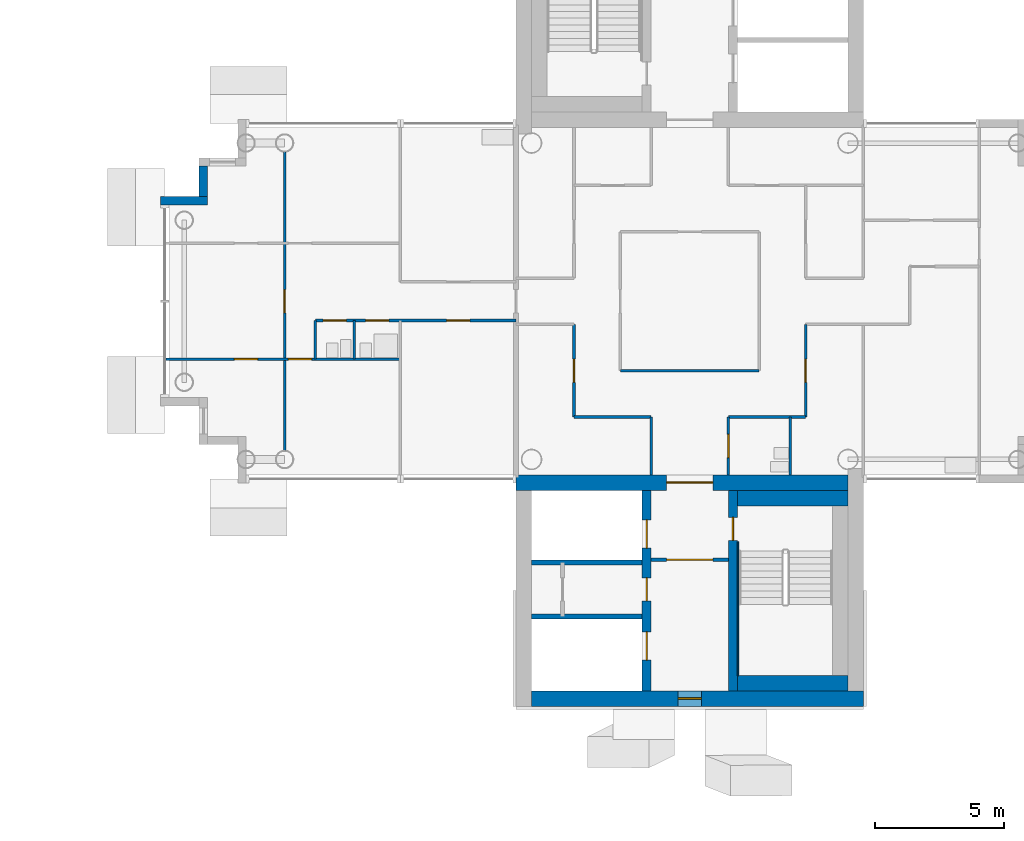
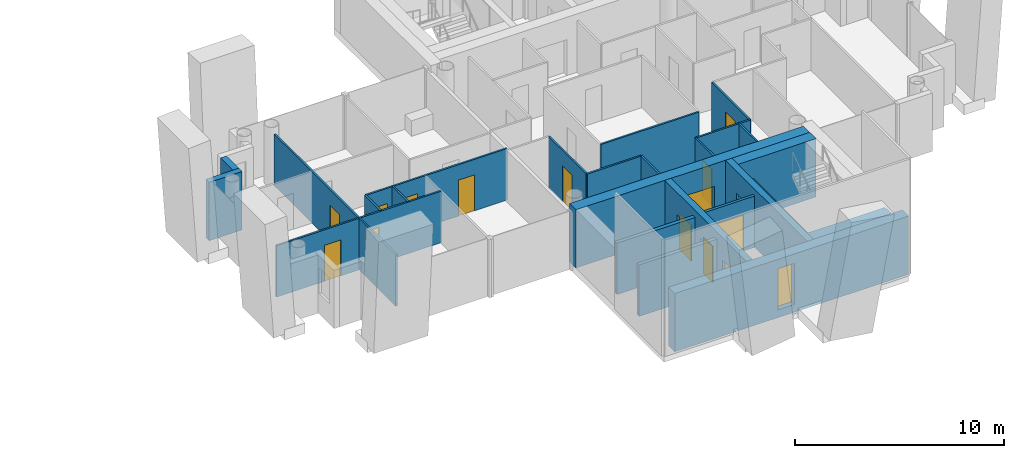
# One storey, part 9 of 18: 25 walls, 15 doors, 1 window, 16 openings.
"""IFC4 building model written with IfcOpenShell, lengths in metres."""

from ifc_helpers import new_model, si_unit, direction, frame, frame_2d, origin, place, context, subcontext, project, spatial, rectangle, extrude, material, layer, layer_set, type_object, element, fill, save


model = new_model("IFC4")

# Units and contexts
model_context = context("Model", 3, precision=1e-05, world=origin(), true_north=direction((0.0, 1.0)))
body_context = subcontext(model_context, "Body", "Model", "MODEL_VIEW")
ifc_project = project(units=[si_unit("LENGTHUNIT", "METRE"), si_unit("AREAUNIT", "SQUARE_METRE"), si_unit("VOLUMEUNIT", "CUBIC_METRE"), si_unit("PLANEANGLEUNIT", "RADIAN"), si_unit("MASSUNIT", "GRAM", prefix="KILO")], contexts=[model_context])

# Site, building, storey
site_placement = place(None, origin())
site = spatial("IfcSite", under=ifc_project, at=site_placement, CompositionType="ELEMENT")
building_placement = place(site_placement, origin())
building = spatial("IfcBuilding", under=site, at=building_placement, Name="Ipe Terrace Towers", CompositionType="ELEMENT")
storey_placement = place(building_placement, frame((0.0, 0.0, 216.39990234375)))
storey = spatial("IfcBuildingStorey", under=building, at=storey_placement, Name="L60", CompositionType="ELEMENT", Elevation=216.39990234375)

# Walls
ifc_material_1 = material(Name="Concrete C40/50 with buff precast cladding", Category="concrete")
ifc_layer_1 = layer(ifc_material_1, 0.320068359375)
ifc_layer_set_1 = layer_set([ifc_layer_1], Name="BUFF CLADDING WALL 320")
wall_type_1 = type_object("IfcWallType", Name="BUFF CLADDING WALL 320", PredefinedType="STANDARD", material=ifc_layer_set_1)
wall_1_placement = place(storey_placement, frame((17.090087890625, 5.25, -0.2998046875), z_axis=(0.0, 0.0, 1.0), x_axis=(0.0, -1.0, 0.0)))
element("IfcWall", 1, at=wall_1_placement, inside=storey, type_object=wall_type_1, Name="T2-W-L60-24a wall", PredefinedType="STANDARD", context=body_context, shape_type="SweptSolid", body=[
    extrude(rectangle(XDim=1.179931640625, YDim=0.320068359375, at=frame_2d((0.58984375, 0.0))), origin(), (0.0, 0.0, 1.0), 3.39990234375),
])
wall_2_placement = place(storey_placement, frame((17.25, 3.909912109375, -0.2998046875), z_axis=(0.0, 0.0, 1.0), x_axis=(-1.0, 0.0, 0.0)))
element("IfcWall", 2, at=wall_2_placement, inside=storey, type_object=wall_type_1, Name="T2-W-L60-25a wall", PredefinedType="STANDARD", context=body_context, shape_type="SweptSolid", body=[
    extrude(rectangle(XDim=1.820068359375, YDim=0.320068359375, at=frame_2d((0.91015625, 0.0))), origin(), (0.0, 0.0, 1.0), 3.39990234375),
])
ifc_material_2 = material(Name="Gypsum board partition", Category="plasterboard")
ifc_layer_2 = layer(ifc_material_2, 0.10009765625)
ifc_layer_set_2 = layer_set([ifc_layer_2], Name="Gypsum board partition 100 mm")
wall_type_2 = type_object("IfcWallType", Name="Gypsum board partition 100 mm", PredefinedType="PARTITIONING", material=ifc_layer_set_2)
for number, where, z_axis, x_axis, name in (
    (3, (40.5, -4.5, 0.0), (0.0, 0.0, 1.0), (-1.0, 0.0, 0.0), "Gypsum board partition T2 L60 W01"),
    (4, (34.5, -4.5, 0.0), (0.0, 0.0, 1.0), (-1.0, 0.0, 0.0), "Gypsum board partition T2 L60 W02"),
):
    element("IfcWall", number, at=place(storey_placement, frame(where, z_axis=z_axis, x_axis=x_axis)), inside=storey, type_object=wall_type_2, Name=name, PredefinedType="PARTITIONING", context=body_context, shape_type="SweptSolid", body=[
        extrude(rectangle(XDim=3.0, YDim=0.10009765625, at=frame_2d((1.5, 0.0))), origin(), (0.0, 0.0, 1.0), 3.0),
    ])
wall_3_placement = place(storey_placement, frame((38.699951171875, -2.699951171875, 0.0), z_axis=(0.0, 0.0, 1.0), x_axis=(-1.0, 0.0, 0.0)))
element("IfcWall", 5, at=wall_3_placement, inside=storey, type_object=wall_type_2, Name="Gypsum board partition T2 L60 W03", PredefinedType="PARTITIONING", context=body_context, shape_type="SweptSolid", body=[
    extrude(rectangle(XDim=5.39990234375, YDim=0.10009765625, at=frame_2d((2.699951171875, 0.0))), origin(), (0.0, 0.0, 1.0), 3.0),
])

# Wall, openings, doors
wall_4_placement = place(storey_placement, frame((24.75, -2.25, 0.0), z_axis=(0.0, 0.0, 1.0), x_axis=(-1.0, 0.0, 0.0)))
wall_4 = element("IfcWall", 6, at=wall_4_placement, inside=storey, type_object=wall_type_2, Name="Gypsum board partition T2 L60 W04", PredefinedType="PARTITIONING", context=body_context, shape_type="SweptSolid", body=[
    extrude(rectangle(XDim=9.10009765625, YDim=0.10009765625, at=frame_2d((4.550048828125, 0.0))), origin(), (0.0, 0.0, 1.0), 3.0),
])
opening_1_placement = place(wall_4_placement, frame((3.449951171875, 0.0, 0.0)))
opening_1 = element("IfcOpeningElement", 7, at=opening_1_placement, cuts=wall_4, Name="Opening T2-Z4F-15", PredefinedType="OPENING", context=body_context, shape_type="SweptSolid", body=[
    extrude(rectangle(XDim=0.89990234375, YDim=2.10009765625, at=frame_2d((0.449951171875, 1.050048828125))), frame((0.0, 0.06005859375, 0.0), z_axis=(0.0, -1.0, 0.0), x_axis=(1.0, 0.0, 0.0)), (0.0, 0.0, 1.0), 0.1201171875),
])
opening_2_placement = place(wall_4_placement, frame((5.550048828125, 0.0, 0.0)))
opening_2 = element("IfcOpeningElement", 8, at=opening_2_placement, cuts=wall_4, Name="Opening T2-Z4F-18", PredefinedType="OPENING", context=body_context, shape_type="SweptSolid", body=[
    extrude(rectangle(XDim=0.89990234375, YDim=2.10009765625, at=frame_2d((0.449951171875, 1.050048828125))), frame((0.0, 0.06005859375, 0.0), z_axis=(0.0, -1.0, 0.0), x_axis=(1.0, 0.0, 0.0)), (0.0, 0.0, 1.0), 0.1201171875),
])
ifc_material_3 = material(Name="Timber door leaf", Category="wood")
door_type_1 = type_object("IfcDoorType", Name="Bedroom door 900 x 2100", OperationType="NOTDEFINED", PredefinedType="DOOR", material=ifc_material_3)
door_1_placement = place(opening_1_placement, origin())
door_1 = element("IfcDoor", 9, at=door_1_placement, inside=storey, type_object=door_type_1, Name="Bedroom door T2-Z4F-15", OperationType="SINGLE_SWING_RIGHT", OverallHeight=2.10009765625, OverallWidth=0.89990234375, PredefinedType="DOOR", context=body_context, shape_type="SweptSolid", body=[
    extrude(rectangle(XDim=0.89990234375, YDim=2.10009765625, at=frame_2d((0.449951171875, 1.050048828125))), frame((0.0, 0.02490234375, 0.0), z_axis=(0.0, -1.0, 0.0), x_axis=(1.0, 0.0, 0.0)), (0.0, 0.0, 1.0), 0.050048828125),
])
fill(opening_1, door_1)
door_2_placement = place(opening_2_placement, origin())
door_2 = element("IfcDoor", 10, at=door_2_placement, inside=storey, type_object=door_type_1, Name="Bedroom door T2-Z4F-18", OperationType="SINGLE_SWING_LEFT", OverallHeight=2.10009765625, OverallWidth=0.89990234375, PredefinedType="DOOR", context=body_context, shape_type="SweptSolid", body=[
    extrude(rectangle(XDim=0.89990234375, YDim=2.10009765625, at=frame_2d((0.449951171875, 1.050048828125))), frame((0.0, 0.02490234375, 0.0), z_axis=(0.0, -1.0, 0.0), x_axis=(1.0, 0.0, 0.0)), (0.0, 0.0, 1.0), 0.050048828125),
])
fill(opening_2, door_2)

wall_5_placement = place(storey_placement, frame((29.25, -0.75, 0.0), z_axis=(0.0, 0.0, 1.0), x_axis=(-1.0, 0.0, 0.0)))
wall_5 = element("IfcWall", 11, at=wall_5_placement, inside=storey, type_object=wall_type_2, Name="Gypsum board partition T2 L60 W07", PredefinedType="PARTITIONING", context=body_context, shape_type="SweptSolid", body=[
    extrude(rectangle(XDim=7.800048828125, YDim=0.10009765625, at=frame_2d((3.89990234375, 0.0))), origin(), (0.0, 0.0, 1.0), 3.0),
])
opening_3_placement = place(wall_5_placement, frame((1.800048828125, 0.0, 0.0)))
opening_3 = element("IfcOpeningElement", 12, at=opening_3_placement, cuts=wall_5, Name="Opening T2-Z4F-10", PredefinedType="OPENING", context=body_context, shape_type="SweptSolid", body=[
    extrude(rectangle(XDim=0.89990234375, YDim=2.10009765625, at=frame_2d((0.449951171875, 1.050048828125))), frame((0.0, 0.06005859375, 0.0), z_axis=(0.0, -1.0, 0.0), x_axis=(1.0, 0.0, 0.0)), (0.0, 0.0, 1.0), 0.1201171875),
])
opening_4_placement = place(wall_5_placement, frame((4.949951171875, 0.0, 0.0)))
opening_4 = element("IfcOpeningElement", 13, at=opening_4_placement, cuts=wall_5, Name="Opening T2-Z4F-13", PredefinedType="OPENING", context=body_context, shape_type="SweptSolid", body=[
    extrude(rectangle(XDim=0.89990234375, YDim=2.10009765625, at=frame_2d((0.449951171875, 1.050048828125))), frame((0.0, 0.06005859375, 0.0), z_axis=(0.0, -1.0, 0.0), x_axis=(1.0, 0.0, 0.0)), (0.0, 0.0, 1.0), 0.1201171875),
])
opening_5_placement = place(wall_5_placement, frame((6.60009765625, 0.0, 0.0)))
opening_5 = element("IfcOpeningElement", 14, at=opening_5_placement, cuts=wall_5, Name="Opening T2-Z4F-14", PredefinedType="OPENING", context=body_context, shape_type="SweptSolid", body=[
    extrude(rectangle(XDim=0.89990234375, YDim=2.10009765625, at=frame_2d((0.449951171875, 1.050048828125))), frame((0.0, 0.06005859375, 0.0), z_axis=(0.0, -1.0, 0.0), x_axis=(1.0, 0.0, 0.0)), (0.0, 0.0, 1.0), 0.1201171875),
])
ifc_material_4 = material(Name="Timber door leaf", Category="wood")
door_type_2 = type_object("IfcDoorType", Name="Bathroom door 900 x 2100", OperationType="NOTDEFINED", PredefinedType="DOOR", material=ifc_material_4)
door_3_placement = place(opening_4_placement, origin())
door_3 = element("IfcDoor", 15, at=door_3_placement, inside=storey, type_object=door_type_2, Name="Bathroom door T2-Z4F-13", OperationType="SINGLE_SWING_LEFT", OverallHeight=2.10009765625, OverallWidth=0.89990234375, PredefinedType="DOOR", context=body_context, shape_type="SweptSolid", body=[
    extrude(rectangle(XDim=0.89990234375, YDim=2.10009765625, at=frame_2d((0.449951171875, 1.050048828125))), frame((0.0, 0.02490234375, 0.0), z_axis=(0.0, -1.0, 0.0), x_axis=(1.0, 0.0, 0.0)), (0.0, 0.0, 1.0), 0.050048828125),
])
fill(opening_4, door_3)
door_4_placement = place(opening_5_placement, origin())
door_4 = element("IfcDoor", 16, at=door_4_placement, inside=storey, type_object=door_type_2, Name="Bathroom door T2-Z4F-14", OperationType="SINGLE_SWING_LEFT", OverallHeight=2.10009765625, OverallWidth=0.89990234375, PredefinedType="DOOR", context=body_context, shape_type="SweptSolid", body=[
    extrude(rectangle(XDim=0.89990234375, YDim=2.10009765625, at=frame_2d((0.449951171875, 1.050048828125))), frame((0.0, 0.02490234375, 0.0), z_axis=(0.0, -1.0, 0.0), x_axis=(1.0, 0.0, 0.0)), (0.0, 0.0, 1.0), 0.050048828125),
])
fill(opening_5, door_4)
ifc_material_5 = material(Name="Timber door leaf", Category="wood")
door_type_3 = type_object("IfcDoorType", Name="Lounge door 900 x 2100", OperationType="NOTDEFINED", PredefinedType="DOOR", material=ifc_material_5)
door_5_placement = place(opening_3_placement, origin())
door_5 = element("IfcDoor", 17, at=door_5_placement, inside=storey, type_object=door_type_3, Name="Lounge door T2-Z4F-10", OperationType="SINGLE_SWING_RIGHT", OverallHeight=2.10009765625, OverallWidth=0.89990234375, PredefinedType="DOOR", context=body_context, shape_type="SweptSolid", body=[
    extrude(rectangle(XDim=0.89990234375, YDim=2.10009765625, at=frame_2d((0.449951171875, 1.050048828125))), frame((0.0, 0.02490234375, 0.0), z_axis=(0.0, -1.0, 0.0), x_axis=(1.0, 0.0, 0.0)), (0.0, 0.0, 1.0), 0.050048828125),
])
fill(opening_3, door_5)

# Wall, opening, door
wall_6_placement = place(storey_placement, frame((40.5, -4.5, 0.0), z_axis=(0.0, 0.0, 1.0), x_axis=(0.0, 1.0, 0.0)))
wall_6 = element("IfcWall", 18, at=wall_6_placement, inside=storey, type_object=wall_type_2, Name="Gypsum board partition T2 L60 W21", PredefinedType="PARTITIONING", context=body_context, shape_type="SweptSolid", body=[
    extrude(rectangle(XDim=3.60009765625, YDim=0.10009765625, at=frame_2d((1.800048828125, 0.0))), origin(), (0.0, 0.0, 1.0), 3.0),
])
opening_6_placement = place(wall_6_placement, frame((1.35009765625, 0.0, 0.0)))
opening_6 = element("IfcOpeningElement", 19, at=opening_6_placement, cuts=wall_6, Name="Opening T2-Z4F-07", PredefinedType="OPENING", context=body_context, shape_type="SweptSolid", body=[
    extrude(rectangle(XDim=0.89990234375, YDim=2.10009765625, at=frame_2d((0.449951171875, 1.050048828125))), frame((0.0, 0.06005859375, 0.0), z_axis=(0.0, -1.0, 0.0), x_axis=(1.0, 0.0, 0.0)), (0.0, 0.0, 1.0), 0.1201171875),
])
door_6_placement = place(opening_6_placement, origin())
door_6 = element("IfcDoor", 20, at=door_6_placement, inside=storey, type_object=door_type_3, Name="Lounge door T2-Z4F-07", OperationType="SINGLE_SWING_LEFT", OverallHeight=2.10009765625, OverallWidth=0.89990234375, PredefinedType="DOOR", context=body_context, shape_type="SweptSolid", body=[
    extrude(rectangle(XDim=0.89990234375, YDim=2.10009765625, at=frame_2d((0.449951171875, 1.050048828125))), frame((0.0, 0.02490234375, 0.0), z_axis=(0.0, -1.0, 0.0), x_axis=(1.0, 0.0, 0.0)), (0.0, 0.0, 1.0), 0.050048828125),
])
fill(opening_6, door_6)

# Wall
wall_7_placement = place(storey_placement, frame((39.89990234375, -6.75, 0.0), z_axis=(0.0, 0.0, 1.0), x_axis=(0.0, 1.0, 0.0)))
element("IfcWall", 21, at=wall_7_placement, inside=storey, type_object=wall_type_2, Name="Gypsum board partition T2 L60 W23", PredefinedType="PARTITIONING", context=body_context, shape_type="SweptSolid", body=[
    extrude(rectangle(XDim=2.25, YDim=0.10009765625, at=frame_2d((1.125, 0.0))), origin(), (0.0, 0.0, 1.0), 3.0),
])

# Wall, opening, door
wall_8_placement = place(storey_placement, frame((37.5, -6.75, 0.0), z_axis=(0.0, 0.0, 1.0), x_axis=(0.0, 1.0, 0.0)))
wall_8 = element("IfcWall", 22, at=wall_8_placement, inside=storey, type_object=wall_type_2, Name="Gypsum board partition T2 L60 W25", PredefinedType="PARTITIONING", context=body_context, shape_type="SweptSolid", body=[
    extrude(rectangle(XDim=2.25, YDim=0.10009765625, at=frame_2d((1.125, 0.0))), origin(), (0.0, 0.0, 1.0), 3.0),
])
opening_7_placement = place(wall_8_placement, frame((0.675048828125, 0.0, 0.0)))
opening_7 = element("IfcOpeningElement", 23, at=opening_7_placement, cuts=wall_8, Name="Opening T2-Z4F-03", PredefinedType="OPENING", context=body_context, shape_type="SweptSolid", body=[
    extrude(rectangle(XDim=0.89990234375, YDim=2.10009765625, at=frame_2d((0.449951171875, 1.050048828125))), frame((0.0, 0.06005859375, 0.0), z_axis=(0.0, -1.0, 0.0), x_axis=(1.0, 0.0, 0.0)), (0.0, 0.0, 1.0), 0.1201171875),
])
door_7_placement = place(opening_7_placement, origin())
door_7 = element("IfcDoor", 24, at=door_7_placement, inside=storey, type_object=door_type_2, Name="Bathroom door T2-Z4F-03", OperationType="SINGLE_SWING_RIGHT", OverallHeight=2.10009765625, OverallWidth=0.89990234375, PredefinedType="DOOR", context=body_context, shape_type="SweptSolid", body=[
    extrude(rectangle(XDim=0.89990234375, YDim=2.10009765625, at=frame_2d((0.449951171875, 1.050048828125))), frame((0.0, 0.02490234375, 0.0), z_axis=(0.0, -1.0, 0.0), x_axis=(1.0, 0.0, 0.0)), (0.0, 0.0, 1.0), 0.050048828125),
])
fill(opening_7, door_7)

# Wall
wall_9_placement = place(storey_placement, frame((34.5, -6.75, 0.0), z_axis=(0.0, 0.0, 1.0), x_axis=(0.0, 1.0, 0.0)))
element("IfcWall", 25, at=wall_9_placement, inside=storey, type_object=wall_type_2, Name="Gypsum board partition T2 L60 W27", PredefinedType="PARTITIONING", context=body_context, shape_type="SweptSolid", body=[
    extrude(rectangle(XDim=2.25, YDim=0.10009765625, at=frame_2d((1.125, 0.0))), origin(), (0.0, 0.0, 1.0), 3.0),
])

# Wall, opening, door
wall_10_placement = place(storey_placement, frame((31.5, -4.5, 0.0), z_axis=(0.0, 0.0, 1.0), x_axis=(0.0, 1.0, 0.0)))
wall_10 = element("IfcWall", 26, at=wall_10_placement, inside=storey, type_object=wall_type_2, Name="Gypsum board partition T2 L60 W30", PredefinedType="PARTITIONING", context=body_context, shape_type="SweptSolid", body=[
    extrude(rectangle(XDim=3.60009765625, YDim=0.10009765625, at=frame_2d((1.800048828125, 0.0))), origin(), (0.0, 0.0, 1.0), 3.0),
])
opening_8_placement = place(wall_10_placement, frame((1.35009765625, 0.0, 0.0)))
opening_8 = element("IfcOpeningElement", 27, at=opening_8_placement, cuts=wall_10, Name="Opening T2-Z4F-06", PredefinedType="OPENING", context=body_context, shape_type="SweptSolid", body=[
    extrude(rectangle(XDim=0.89990234375, YDim=2.10009765625, at=frame_2d((0.449951171875, 1.050048828125))), frame((0.0, 0.06005859375, 0.0), z_axis=(0.0, -1.0, 0.0), x_axis=(1.0, 0.0, 0.0)), (0.0, 0.0, 1.0), 0.1201171875),
])
door_8_placement = place(opening_8_placement, origin())
door_8 = element("IfcDoor", 28, at=door_8_placement, inside=storey, type_object=door_type_3, Name="Lounge door T2-Z4F-06", OperationType="SINGLE_SWING_LEFT", OverallHeight=2.10009765625, OverallWidth=0.89990234375, PredefinedType="DOOR", context=body_context, shape_type="SweptSolid", body=[
    extrude(rectangle(XDim=0.89990234375, YDim=2.10009765625, at=frame_2d((0.449951171875, 1.050048828125))), frame((0.0, 0.02490234375, 0.0), z_axis=(0.0, -1.0, 0.0), x_axis=(1.0, 0.0, 0.0)), (0.0, 0.0, 1.0), 0.050048828125),
])
fill(opening_8, door_8)

# Walls
for number, where, z_axis, x_axis, name in (
    (29, (22.949951171875, -2.25, 0.0), (0.0, 0.0, 1.0), (0.0, 1.0, 0.0), "Gypsum board partition T2 L60 W35"),
    (30, (21.449951171875, -2.25, 0.0), (0.0, 0.0, 1.0), (0.0, 1.0, 0.0), "Gypsum board partition T2 L60 W36"),
):
    element("IfcWall", number, at=place(storey_placement, frame(where, z_axis=z_axis, x_axis=x_axis)), inside=storey, type_object=wall_type_2, Name=name, PredefinedType="PARTITIONING", context=body_context, shape_type="SweptSolid", body=[
        extrude(rectangle(XDim=1.5, YDim=0.10009765625, at=frame_2d((0.75, 0.0))), origin(), (0.0, 0.0, 1.0), 3.0),
    ])

# Wall, opening, door
wall_11_placement = place(storey_placement, frame((20.25, -5.800048828125, 0.0), z_axis=(0.0, 0.0, 1.0), x_axis=(0.0, 1.0, 0.0)))
wall_11 = element("IfcWall", 31, at=wall_11_placement, inside=storey, type_object=wall_type_2, Name="Gypsum board partition T2 L60 W37", PredefinedType="PARTITIONING", context=body_context, shape_type="SweptSolid", body=[
    extrude(rectangle(XDim=11.60009765625, YDim=0.10009765625, at=frame_2d((5.800048828125, 0.0))), origin(), (0.0, 0.0, 1.0), 3.0),
])
opening_9_placement = place(wall_11_placement, frame((5.35009765625, 0.0, 0.0)))
opening_9 = element("IfcOpeningElement", 32, at=opening_9_placement, cuts=wall_11, Name="Opening T2-Z4F-17", PredefinedType="OPENING", context=body_context, shape_type="SweptSolid", body=[
    extrude(rectangle(XDim=0.89990234375, YDim=2.10009765625, at=frame_2d((0.449951171875, 1.050048828125))), frame((0.0, 0.06005859375, 0.0), z_axis=(0.0, -1.0, 0.0), x_axis=(1.0, 0.0, 0.0)), (0.0, 0.0, 1.0), 0.1201171875),
])
door_9_placement = place(opening_9_placement, origin())
door_9 = element("IfcDoor", 33, at=door_9_placement, inside=storey, type_object=door_type_3, Name="Lounge door T2-Z4F-17", OperationType="SINGLE_SWING_LEFT", OverallHeight=2.10009765625, OverallWidth=0.89990234375, PredefinedType="DOOR", context=body_context, shape_type="SweptSolid", body=[
    extrude(rectangle(XDim=0.89990234375, YDim=2.10009765625, at=frame_2d((0.449951171875, 1.050048828125))), frame((0.0, 0.02490234375, 0.0), z_axis=(0.0, -1.0, 0.0), x_axis=(1.0, 0.0, 0.0)), (0.0, 0.0, 1.0), 0.050048828125),
])
fill(opening_9, door_9)

ifc_material_6 = material(Name="Gypsum board partition", Category="plasterboard")
ifc_layer_3 = layer(ifc_material_6, 0.14990234375)
ifc_layer_set_3 = layer_set([ifc_layer_3], Name="Gypsum board partition 150 mm")
wall_type_3 = type_object("IfcWallType", Name="Gypsum board partition 150 mm", PredefinedType="PARTITIONING", material=ifc_layer_set_3)
wall_12_placement = place(storey_placement, frame((34.5, -10.050048828125, 0.0), z_axis=(0.0, 0.0, 1.0), x_axis=(1.0, 0.0, 0.0)))
wall_12 = element("IfcWall", 34, at=wall_12_placement, inside=storey, type_object=wall_type_3, Name="Gypsum board partition T2 L60 t2c2-lobby-wall", PredefinedType="PARTITIONING", context=body_context, shape_type="SweptSolid", body=[
    extrude(rectangle(XDim=3.0, YDim=0.14990234375, at=frame_2d((1.5, 0.0))), origin(), (0.0, 0.0, 1.0), 3.0),
])
opening_10_placement = place(wall_12_placement, frame((0.60009765625, 0.0, 0.0)))
opening_10 = element("IfcOpeningElement", 35, at=opening_10_placement, cuts=wall_12, Name="Opening T2C2-VD", PredefinedType="OPENING", context=body_context, shape_type="SweptSolid", body=[
    extrude(rectangle(XDim=1.800048828125, YDim=2.10009765625, at=frame_2d((0.89990234375, 1.050048828125))), frame((0.0, 0.0849609375, 0.0), z_axis=(0.0, -1.0, 0.0), x_axis=(1.0, 0.0, 0.0)), (0.0, 0.0, 1.0), 0.169921875),
])
ifc_material_7 = material(Name="Fire-rated timber door leaf", Category="wood")
door_type_4 = type_object("IfcDoorType", Name="Lobby door 1800 x 2100 FD60", OperationType="NOTDEFINED", PredefinedType="DOOR", material=ifc_material_7)
door_10_placement = place(opening_10_placement, origin())
door_10 = element("IfcDoor", 36, at=door_10_placement, inside=storey, type_object=door_type_4, Name="Lobby door T2C2-VD", OperationType="SINGLE_SWING_LEFT", OverallHeight=2.10009765625, OverallWidth=1.800048828125, PredefinedType="DOOR", context=body_context, shape_type="SweptSolid", body=[
    extrude(rectangle(XDim=1.800048828125, YDim=2.10009765625, at=frame_2d((0.89990234375, 1.050048828125))), frame((0.0, 0.02490234375, 0.0), z_axis=(0.0, -1.0, 0.0), x_axis=(1.0, 0.0, 0.0)), (0.0, 0.0, 1.0), 0.050048828125),
])
fill(opening_10, door_10)

# Walls
ifc_material_8 = material(Name="Gypsum board party wall", Category="plasterboard")
ifc_layer_4 = layer(ifc_material_8, 0.199951171875)
ifc_layer_set_4 = layer_set([ifc_layer_4], Name="Gypsum board party wall 200 mm")
wall_type_4 = type_object("IfcWallType", Name="Gypsum board party wall 200 mm", PredefinedType="SOLIDWALL", material=ifc_layer_set_4)
for number, where, z_axis, x_axis, name in (
    (37, (29.85009765625, -12.25, 0.0), (0.0, 0.0, 1.0), (1.0, 0.0, 0.0), "Gypsum board party wall T2 L60 t2c2-shaft-div2"),
    (38, (29.85009765625, -10.14990234375, 0.0), (0.0, 0.0, 1.0), (1.0, 0.0, 0.0), "Gypsum board party wall T2 L60 t2c2-shaft-div1"),
):
    element("IfcWall", number, at=place(storey_placement, frame(where, z_axis=z_axis, x_axis=x_axis)), inside=storey, type_object=wall_type_4, Name=name, PredefinedType="SOLIDWALL", context=body_context, shape_type="SweptSolid", body=[
        extrude(rectangle(XDim=4.2998046875, YDim=0.199951171875, at=frame_2d((2.14990234375, 0.0))), origin(), (0.0, 0.0, 1.0), 3.0),
    ])

# Wall, openings, doors
ifc_material_9 = material(Name="Concrete C40/50", Category="concrete")
ifc_layer_5 = layer(ifc_material_9, 0.35009765625)
ifc_layer_set_5 = layer_set([ifc_layer_5], Name="RW350 CORE SPINE WALL 350 C40-50")
wall_type_5 = type_object("IfcWallType", Name="RW350 CORE SPINE WALL 350 C40-50", PredefinedType="SHEAR", material=ifc_layer_set_5)
wall_13_placement = place(storey_placement, frame((34.324951171875, -15.14990234375, 0.0), z_axis=(0.0, 0.0, 1.0), x_axis=(0.0, 1.0, 0.0)))
wall_13 = element("IfcWall", 39, at=wall_13_placement, inside=storey, type_object=wall_type_5, Name="Core spine wall T2-C2-Z4-SW1", PredefinedType="SHEAR", context=body_context, shape_type="SweptSolid", body=[
    extrude(rectangle(XDim=7.7998046875, YDim=0.35009765625, at=frame_2d((3.89990234375, 0.0))), origin(), (0.0, 0.0, 1.0), 3.400146484375),
])
opening_11_placement = place(wall_13_placement, frame((5.550048828125, 0.0, 0.0)))
opening_11 = element("IfcOpeningElement", 40, at=opening_11_placement, cuts=wall_13, Name="Opening T2C2-LD1", PredefinedType="OPENING", context=body_context, shape_type="SweptSolid", body=[
    extrude(rectangle(XDim=1.10009765625, YDim=2.10009765625, at=frame_2d((0.550048828125, 1.050048828125))), frame((0.0, 0.18505859375, 0.0), z_axis=(0.0, -1.0, 0.0), x_axis=(1.0, 0.0, 0.0)), (0.0, 0.0, 1.0), 0.3701171875),
])
opening_12_placement = place(wall_13_placement, frame((1.199951171875, 0.0, 0.0)))
opening_12 = element("IfcOpeningElement", 41, at=opening_12_placement, cuts=wall_13, Name="Opening T2C2-LD3", PredefinedType="OPENING", context=body_context, shape_type="SweptSolid", body=[
    extrude(rectangle(XDim=1.10009765625, YDim=2.10009765625, at=frame_2d((0.550048828125, 1.050048828125))), frame((0.0, 0.18505859375, 0.0), z_axis=(0.0, -1.0, 0.0), x_axis=(1.0, 0.0, 0.0)), (0.0, 0.0, 1.0), 0.3701171875),
])
opening_13_placement = place(wall_13_placement, frame((3.5, 0.0, 0.0)))
opening_13 = element("IfcOpeningElement", 42, at=opening_13_placement, cuts=wall_13, Name="Opening T2C2-R1-FD30S", PredefinedType="OPENING", context=body_context, shape_type="SweptSolid", body=[
    extrude(rectangle(XDim=0.89990234375, YDim=2.10009765625, at=frame_2d((0.449951171875, 1.050048828125))), frame((0.0, 0.18505859375, 0.0), z_axis=(0.0, -1.0, 0.0), x_axis=(1.0, 0.0, 0.0)), (0.0, 0.0, 1.0), 0.3701171875),
])
ifc_material_10 = material(Name="Fire-rated timber door leaf", Category="wood")
door_type_5 = type_object("IfcDoorType", Name="Sliding door 1100 x 2100 FD60", OperationType="SLIDING_TO_LEFT", PredefinedType="DOOR", material=ifc_material_10)
door_11_placement = place(opening_11_placement, origin())
door_11 = element("IfcDoor", 43, at=door_11_placement, inside=storey, type_object=door_type_5, Name="Sliding door T2C2-LD1", OperationType="SLIDING_TO_LEFT", OverallHeight=2.10009765625, OverallWidth=1.10009765625, PredefinedType="DOOR", context=body_context, shape_type="SweptSolid", body=[
    extrude(rectangle(XDim=1.10009765625, YDim=2.10009765625, at=frame_2d((0.550048828125, 1.050048828125))), frame((0.0, 0.02490234375, 0.0), z_axis=(0.0, -1.0, 0.0), x_axis=(1.0, 0.0, 0.0)), (0.0, 0.0, 1.0), 0.050048828125),
])
fill(opening_11, door_11)
door_12_placement = place(opening_12_placement, origin())
door_12 = element("IfcDoor", 44, at=door_12_placement, inside=storey, type_object=door_type_5, Name="Sliding door T2C2-LD3", OperationType="SLIDING_TO_LEFT", OverallHeight=2.10009765625, OverallWidth=1.10009765625, PredefinedType="DOOR", context=body_context, shape_type="SweptSolid", body=[
    extrude(rectangle(XDim=1.10009765625, YDim=2.10009765625, at=frame_2d((0.550048828125, 1.050048828125))), frame((0.0, 0.02490234375, 0.0), z_axis=(0.0, -1.0, 0.0), x_axis=(1.0, 0.0, 0.0)), (0.0, 0.0, 1.0), 0.050048828125),
])
fill(opening_12, door_12)
ifc_material_11 = material(Name="Fire-rated timber door leaf", Category="wood")
door_type_6 = type_object("IfcDoorType", Name="Store door 900 x 2100 FD30S", OperationType="NOTDEFINED", PredefinedType="DOOR", material=ifc_material_11)
door_13_placement = place(opening_13_placement, origin())
door_13 = element("IfcDoor", 45, at=door_13_placement, inside=storey, type_object=door_type_6, Name="Store door T2C2-R1-FD30S", OperationType="SINGLE_SWING_LEFT", OverallHeight=2.10009765625, OverallWidth=0.89990234375, PredefinedType="DOOR", context=body_context, shape_type="SweptSolid", body=[
    extrude(rectangle(XDim=0.89990234375, YDim=2.10009765625, at=frame_2d((0.449951171875, 1.050048828125))), frame((0.0, 0.02490234375, 0.0), z_axis=(0.0, -1.0, 0.0), x_axis=(1.0, 0.0, 0.0)), (0.0, 0.0, 1.0), 0.050048828125),
])
fill(opening_13, door_13)

# Wall, opening, door
wall_14_placement = place(storey_placement, frame((37.675048828125, -15.14990234375, 0.0), z_axis=(0.0, 0.0, 1.0), x_axis=(0.0, 1.0, 0.0)))
wall_14 = element("IfcWall", 46, at=wall_14_placement, inside=storey, type_object=wall_type_5, Name="Core spine wall T2-C2-Z4-SW2", PredefinedType="SHEAR", context=body_context, shape_type="SweptSolid", body=[
    extrude(rectangle(XDim=7.7998046875, YDim=0.35009765625, at=frame_2d((3.89990234375, 0.0))), origin(), (0.0, 0.0, 1.0), 3.400146484375),
])
opening_14_placement = place(wall_14_placement, frame((5.85009765625, 0.0, 0.0)))
opening_14 = element("IfcOpeningElement", 47, at=opening_14_placement, cuts=wall_14, Name="Opening T2C2-SD", PredefinedType="OPENING", context=body_context, shape_type="SweptSolid", body=[
    extrude(rectangle(XDim=0.89990234375, YDim=2.10009765625, at=frame_2d((0.449951171875, 1.050048828125))), frame((0.0, 0.18505859375, 0.0), z_axis=(0.0, -1.0, 0.0), x_axis=(1.0, 0.0, 0.0)), (0.0, 0.0, 1.0), 0.3701171875),
])
ifc_material_12 = material(Name="Fire-rated timber door leaf", Category="wood")
door_type_7 = type_object("IfcDoorType", Name="Stair door 900 x 2100 FD60", OperationType="NOTDEFINED", PredefinedType="DOOR", material=ifc_material_12)
door_14_placement = place(opening_14_placement, origin())
door_14 = element("IfcDoor", 48, at=door_14_placement, inside=storey, type_object=door_type_7, Name="Stair door T2C2-SD", OperationType="SINGLE_SWING_RIGHT", OverallHeight=2.10009765625, OverallWidth=0.89990234375, PredefinedType="DOOR", context=body_context, shape_type="SweptSolid", body=[
    extrude(rectangle(XDim=0.89990234375, YDim=2.10009765625, at=frame_2d((0.449951171875, 1.050048828125))), frame((0.0, 0.02490234375, 0.0), z_axis=(0.0, -1.0, 0.0), x_axis=(1.0, 0.0, 0.0)), (0.0, 0.0, 1.0), 0.050048828125),
])
fill(opening_14, door_14)

# Walls
ifc_material_13 = material(Name="Concrete C40/50", Category="concrete")
ifc_layer_6 = layer(ifc_material_13, 0.050048828125)
ifc_layer_set_6 = layer_set([ifc_layer_6], Name="RW50 CORE INFILL WALL 50 C40-50")
wall_type_6 = type_object("IfcWallType", Name="RW50 CORE INFILL WALL 50 C40-50", PredefinedType="SHEAR", material=ifc_layer_set_6)
wall_15_placement = place(storey_placement, frame((37.875, -9.35009765625, 0.0), z_axis=(0.0, 0.0, 1.0), x_axis=(0.0, -1.0, 0.0)))
element("IfcWall", 49, at=wall_15_placement, inside=storey, type_object=wall_type_6, Name="Core infill wall T2-C2-spine-b", PredefinedType="SHEAR", context=body_context, shape_type="SweptSolid", body=[
    extrude(rectangle(XDim=5.199951171875, YDim=0.050048828125, at=frame_2d((2.60009765625, 0.0))), origin(), (0.0, 0.0, 1.0), 3.400146484375),
])
ifc_material_14 = material(Name="Concrete C40/50", Category="concrete")
ifc_layer_7 = layer(ifc_material_14, 0.60009765625)
ifc_layer_set_7 = layer_set([ifc_layer_7], Name="RW600 CORE INFILL WALL 600 C40-50")
wall_type_7 = type_object("IfcWallType", Name="RW600 CORE INFILL WALL 600 C40-50", PredefinedType="SHEAR", material=ifc_layer_set_7)
for number, where, z_axis, x_axis, name in (
    (50, (37.85009765625, -14.85009765625, 0.0), (0.0, 0.0, 1.0), (1.0, 0.0, 0.0), "Core infill wall T2-C2-far"),
    (51, (37.85009765625, -7.64990234375, 0.0), (0.0, 0.0, 1.0), (1.0, 0.0, 0.0), "Core infill wall T2-C2-near"),
):
    element("IfcWall", number, at=place(storey_placement, frame(where, z_axis=z_axis, x_axis=x_axis)), inside=storey, type_object=wall_type_7, Name=name, PredefinedType="SHEAR", context=body_context, shape_type="SweptSolid", body=[
        extrude(rectangle(XDim=4.2998046875, YDim=0.60009765625, at=frame_2d((2.14990234375, 0.0))), origin(), (0.0, 0.0, 1.0), 3.400146484375),
    ])

# Wall, opening, window
ifc_material_15 = material(Name="Concrete C40/50", Category="concrete")
ifc_layer_8 = layer(ifc_material_15, 0.60009765625)
ifc_layer_set_8 = layer_set([ifc_layer_8], Name="RW600 CORE WALL 600 C40-50")
wall_type_8 = type_object("IfcWallType", Name="RW600 CORE WALL 600 C40-50", PredefinedType="SHEAR", material=ifc_layer_set_8)
wall_16_placement = place(storey_placement, frame((29.85009765625, -15.449951171875, 0.0), z_axis=(0.0, 0.0, 1.0), x_axis=(1.0, 0.0, 0.0)))
wall_16 = element("IfcWall", 52, at=wall_16_placement, inside=storey, type_object=wall_type_8, Name="Core wall T2-C2-Z4-W01", PredefinedType="SHEAR", context=body_context, shape_type="SweptSolid", body=[
    extrude(rectangle(XDim=12.89990234375, YDim=0.60009765625, at=frame_2d((6.449951171875, 0.0))), origin(), (0.0, 0.0, 1.0), 3.400146484375),
])
opening_15_placement = place(wall_16_placement, frame((5.699951171875, 0.0, 0.449951171875)))
opening_15 = element("IfcOpeningElement", 53, at=opening_15_placement, cuts=wall_16, Name="Opening T2-C2-W-01-L60", PredefinedType="OPENING", context=body_context, shape_type="SweptSolid", body=[
    extrude(rectangle(XDim=0.89990234375, YDim=2.39990234375, at=frame_2d((0.449951171875, 1.199951171875))), frame((0.0, 0.31005859375, 0.0), z_axis=(0.0, -1.0, 0.0), x_axis=(1.0, 0.0, 0.0)), (0.0, 0.0, 1.0), 0.6201171875),
])
ifc_material_16 = material(Name="Fire-resistant glazing EI 60", Category="glass")
window_type = type_object("IfcWindowType", Name="CORRIDOR END SLOT WINDOW 900 x 2400 EI 60", PartitioningType="SINGLE_PANEL", PredefinedType="WINDOW", material=ifc_material_16)
window_placement = place(opening_15_placement, origin())
window = element("IfcWindow", 54, at=window_placement, inside=storey, type_object=window_type, Name="W-01 window", OverallHeight=2.39990234375, OverallWidth=0.89990234375, PartitioningType="SINGLE_PANEL", PredefinedType="WINDOW", context=body_context, shape_type="SweptSolid", body=[
    extrude(rectangle(XDim=0.89990234375, YDim=2.39990234375, at=frame_2d((0.449951171875, 1.199951171875))), frame((0.0, 0.030029296875, 0.0), z_axis=(0.0, -1.0, 0.0), x_axis=(1.0, 0.0, 0.0)), (0.0, 0.0, 1.0), 0.06005859375),
])
fill(opening_15, window)

# Wall, opening, door
wall_17_placement = place(storey_placement, frame((42.14990234375, -7.050048828125, 0.0), z_axis=(0.0, 0.0, 1.0), x_axis=(-1.0, 0.0, 0.0)))
wall_17 = element("IfcWall", 55, at=wall_17_placement, inside=storey, type_object=wall_type_8, Name="Core wall T2-C2-Z4-W03", PredefinedType="SHEAR", context=body_context, shape_type="SweptSolid", body=[
    extrude(rectangle(XDim=12.89990234375, YDim=0.60009765625, at=frame_2d((6.449951171875, 0.0))), origin(), (0.0, 0.0, 1.0), 3.400146484375),
])
opening_16_placement = place(wall_17_placement, frame((5.25, 0.0, 0.0)))
opening_16 = element("IfcOpeningElement", 56, at=opening_16_placement, cuts=wall_17, Name="Opening T2C2-ND", PredefinedType="OPENING", context=body_context, shape_type="SweptSolid", body=[
    extrude(rectangle(XDim=1.800048828125, YDim=2.10009765625, at=frame_2d((0.89990234375, 1.050048828125))), frame((0.0, 0.31005859375, 0.0), z_axis=(0.0, -1.0, 0.0), x_axis=(1.0, 0.0, 0.0)), (0.0, 0.0, 1.0), 0.6201171875),
])
ifc_material_17 = material(Name="Fire-rated timber door leaf", Category="wood")
door_type_8 = type_object("IfcDoorType", Name="Fire door 1800 x 2100 FD30S", OperationType="NOTDEFINED", PredefinedType="DOOR", material=ifc_material_17)
door_15_placement = place(opening_16_placement, origin())
door_15 = element("IfcDoor", 57, at=door_15_placement, inside=storey, type_object=door_type_8, Name="Fire door T2C2-ND", OperationType="SINGLE_SWING_LEFT", OverallHeight=2.10009765625, OverallWidth=1.800048828125, PredefinedType="DOOR", context=body_context, shape_type="SweptSolid", body=[
    extrude(rectangle(XDim=1.800048828125, YDim=2.10009765625, at=frame_2d((0.89990234375, 1.050048828125))), frame((0.0, 0.02490234375, 0.0), z_axis=(0.0, -1.0, 0.0), x_axis=(1.0, 0.0, 0.0)), (0.0, 0.0, 1.0), 0.050048828125),
])
fill(opening_16, door_15)

save(model, "model.ifc")
